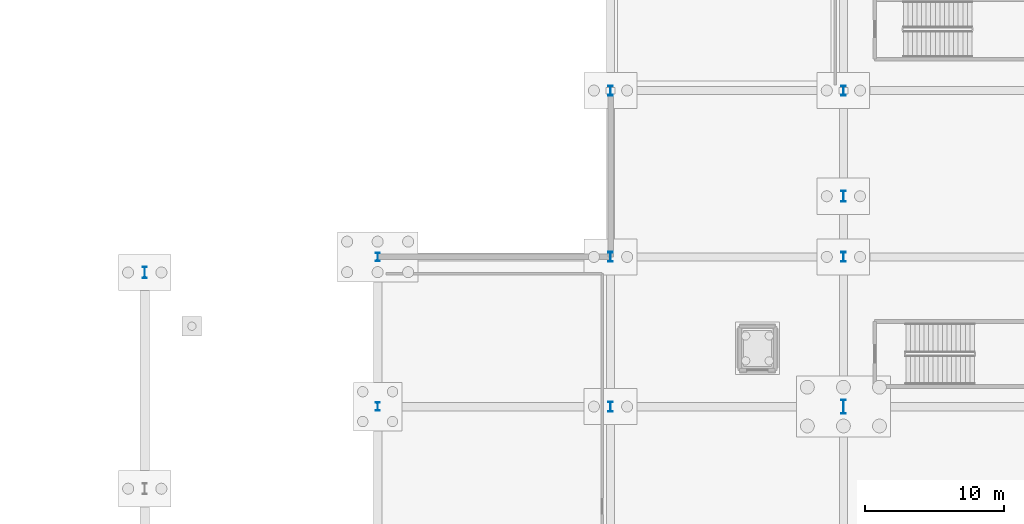
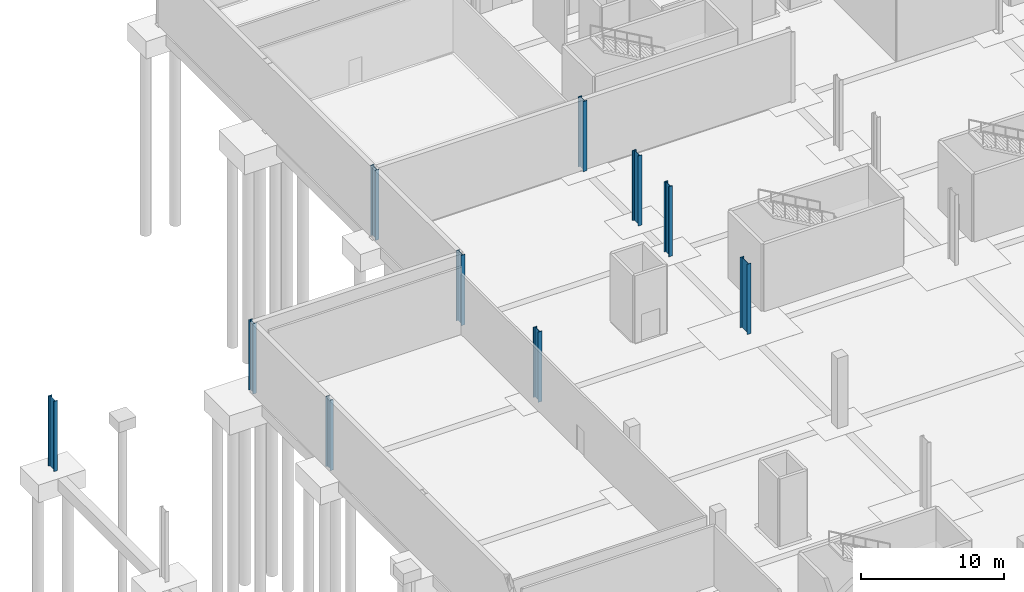
# One storey, part 11 of 46: 10 columns.
"""IFC4 building model written with IfcOpenShell, lengths in metres."""

from ifc_helpers import new_model, si_unit, direction, frame, origin, origin_2d, place, context, subcontext, project, spatial, i_section, extrude, material, material_profile, profile_set, type_object, element, save


model = new_model("IFC4")

# Units and contexts
model_context = context("Model", 3, precision=1e-05, world=origin(), true_north=direction((0.0, 1.0)))
body_context = subcontext(model_context, "Body", "Model", "MODEL_VIEW")
ifc_project = project(units=[si_unit("LENGTHUNIT", "METRE"), si_unit("AREAUNIT", "SQUARE_METRE"), si_unit("VOLUMEUNIT", "CUBIC_METRE"), si_unit("PLANEANGLEUNIT", "RADIAN"), si_unit("MASSUNIT", "GRAM", prefix="KILO")], contexts=[model_context])

# Site, building, storey
site_placement = place(None, origin())
site = spatial("IfcSite", under=ifc_project, at=site_placement, CompositionType="ELEMENT")
building_placement = place(site_placement, origin())
building = spatial("IfcBuilding", under=site, at=building_placement, Name="Kimbaza Rail Terminus", CompositionType="ELEMENT")
storey_placement = place(building_placement, frame((0.0, 0.0, -6.0)))
storey = spatial("IfcBuildingStorey", under=building, at=storey_placement, Name="B1", CompositionType="ELEMENT", Elevation=-6.0)

# Columns
ifc_material_1 = material(Name="Steel S355", Category="steel")
ifc_material_profile_1 = material_profile(ifc_material_1, i_section(OverallWidth=0.300048828125, OverallDepth=0.60009765625, WebThickness=0.015380859375, FlangeThickness=0.030029296875, FilletRadius=0.027099609375, at=origin_2d()), Name="HEB 600")
ifc_profile_set_1 = profile_set([ifc_material_profile_1], Name="Steel S355")
column_type_1 = type_object("IfcColumnType", Name="STR-COL-HEB600", PredefinedType="COLUMN", material=ifc_profile_set_1)
for number, where, z_axis, x_axis, name in (
    (1, (38.39990234375, 80.199951171875, 0.0), (0.0, 0.0, 1.0), (1.0, 0.0, 0.0), "Concourse Outer Wing Column B1"),
    (2, (38.39990234375, 91.0, 0.0), (0.0, 0.0, 1.0), (1.0, 0.0, 0.0), "Concourse Outer Wing Column B1"),
):
    element("IfcColumn", number, at=place(storey_placement, frame(where, z_axis=z_axis, x_axis=x_axis)), inside=storey, type_object=column_type_1, Name=name, PredefinedType="COLUMN", context=body_context, shape_type="SweptSolid", body=[
        extrude(i_section(OverallWidth=0.300048828125, OverallDepth=0.60009765625, WebThickness=0.015380859375, FlangeThickness=0.030029296875, FilletRadius=0.027099609375, at=origin_2d()), origin(), (0.0, 0.0, 1.0), 6.0),
    ])
ifc_material_2 = material(Name="Steel S355", Category="steel")
ifc_material_profile_2 = material_profile(ifc_material_2, i_section(OverallWidth=0.302001953125, OverallDepth=1.008056640625, WebThickness=0.02099609375, FlangeThickness=0.0400390625, FilletRadius=0.030029296875, at=origin_2d()), Name="HEM 1000")
ifc_profile_set_2 = profile_set([ifc_material_profile_2], Name="Steel S355")
column_type_2 = type_object("IfcColumnType", Name="STR-COL-HEM1000", PredefinedType="COLUMN", material=ifc_profile_set_2)
column_placement = place(storey_placement, frame((72.0, 80.199951171875, 0.0), z_axis=(0.0, 0.0, 1.0), x_axis=(1.0, 0.0, 0.0)))
element("IfcColumn", 3, at=column_placement, inside=storey, type_object=column_type_2, Name="North Transfer Pier B1 (1,0)", PredefinedType="COLUMN", context=body_context, shape_type="SweptSolid", body=[
    extrude(i_section(OverallWidth=0.302001953125, OverallDepth=1.008056640625, WebThickness=0.02099609375, FlangeThickness=0.0400390625, FilletRadius=0.030029296875, at=origin_2d()), origin(), (0.0, 0.0, 1.0), 6.0),
])
ifc_material_3 = material(Name="Steel S355", Category="steel")
ifc_material_profile_3 = material_profile(ifc_material_3, i_section(OverallWidth=0.303955078125, OverallDepth=0.716064453125, WebThickness=0.02099609375, FlangeThickness=0.0400390625, FilletRadius=0.027099609375, at=origin_2d()), Name="HEM 700")
ifc_profile_set_3 = profile_set([ifc_material_profile_3], Name="Steel S355")
column_type_3 = type_object("IfcColumnType", Name="STR-COL-HEM700", PredefinedType="COLUMN", material=ifc_profile_set_3)
for number, where, z_axis, x_axis, name in (
    (4, (55.199951171875, 103.0, 0.0), (0.0, 0.0, 1.0), (1.0, 0.0, 0.0), "Operations Column B1 (0,0)"),
    (5, (72.0, 103.0, 0.0), (0.0, 0.0, 1.0), (1.0, 0.0, 0.0), "Operations Column B1 (1,0)"),
    (6, (55.199951171875, 80.199951171875, 0.0), (0.0, 0.0, 1.0), (1.0, 0.0, 0.0), "North Transfer Pier B1 (0,0)"),
    (7, (55.199951171875, 91.0, 0.0), (0.0, 0.0, 1.0), (1.0, 0.0, 0.0), "North Transfer Pier B1 (0,1)"),
    (8, (72.0, 91.0, 0.0), (0.0, 0.0, 1.0), (1.0, 0.0, 0.0), "North Transfer Pier B1 (1,1)"),
):
    element("IfcColumn", number, at=place(storey_placement, frame(where, z_axis=z_axis, x_axis=x_axis)), inside=storey, type_object=column_type_3, Name=name, PredefinedType="COLUMN", context=body_context, shape_type="SweptSolid", body=[
        extrude(i_section(OverallWidth=0.303955078125, OverallDepth=0.716064453125, WebThickness=0.02099609375, FlangeThickness=0.0400390625, FilletRadius=0.027099609375, at=origin_2d()), origin(), (0.0, 0.0, 1.0), 6.0),
    ])
ifc_material_4 = material(Name="Steel S355", Category="steel")
ifc_material_profile_4 = material_profile(ifc_material_4, i_section(OverallWidth=0.302978515625, OverallDepth=0.81396484375, WebThickness=0.02099609375, FlangeThickness=0.0400390625, FilletRadius=0.030029296875, at=origin_2d()), Name="HEM 800")
ifc_profile_set_4 = profile_set([ifc_material_profile_4], Name="Steel S355")
column_type_4 = type_object("IfcColumnType", Name="STR-COL-HEM800", PredefinedType="COLUMN", material=ifc_profile_set_4)
for number, where, z_axis, x_axis, name in (
    (9, (21.60009765625, 89.8759765625, 0.0), (0.0, 0.0, 1.0), (1.0, 0.0, 0.0), "Viaduct Pier Column B1 VP-01"),
    (10, (72.0, 95.375732421875, 0.0), (0.0, 0.0, 1.0), (1.0, 0.0, 0.0), "North Vault Springing Pier B1 VP-04"),
):
    element("IfcColumn", number, at=place(storey_placement, frame(where, z_axis=z_axis, x_axis=x_axis)), inside=storey, type_object=column_type_4, Name=name, PredefinedType="COLUMN", context=body_context, shape_type="SweptSolid", body=[
        extrude(i_section(OverallWidth=0.302978515625, OverallDepth=0.81396484375, WebThickness=0.02099609375, FlangeThickness=0.0400390625, FilletRadius=0.030029296875, at=origin_2d()), origin(), (0.0, 0.0, 1.0), 6.0),
    ])

save(model, "model.ifc")
